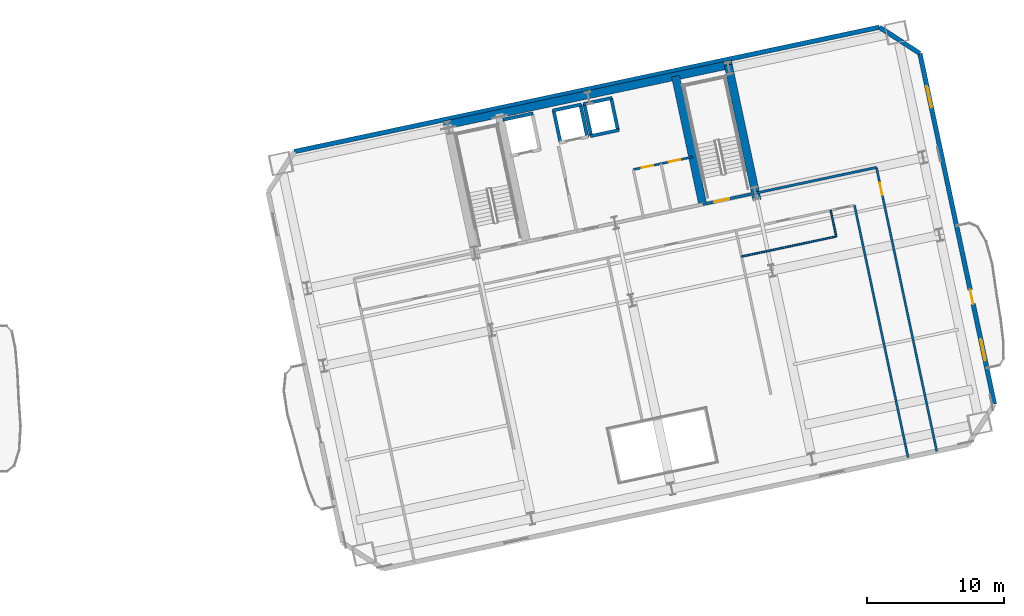
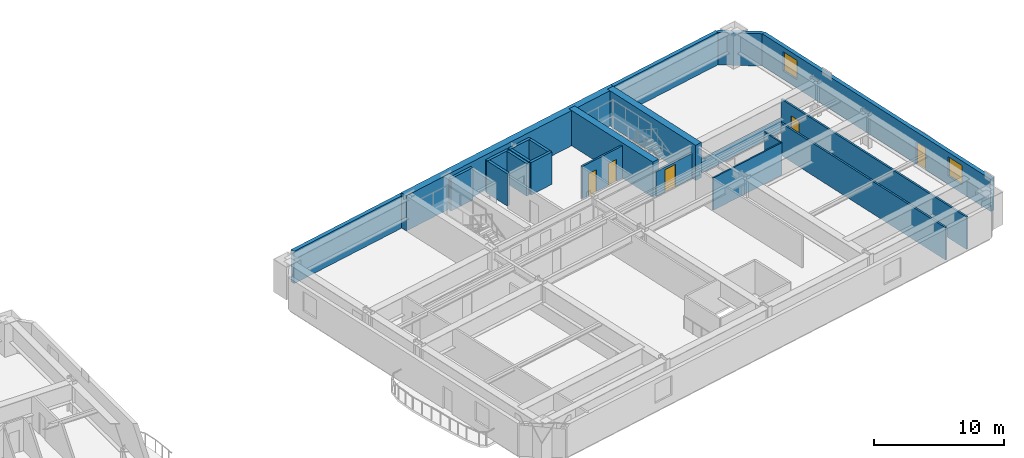
# One storey, part 10 of 18: 21 walls, 5 doors, 2 windows, 7 openings.
"""IFC4 building model written with IfcOpenShell, lengths in metres."""

from ifc_helpers import new_model, si_unit, direction, frame, frame_2d, origin, place, context, subcontext, project, spatial, rectangle, extrude, material, layer, layer_set, type_object, element, fill, save


model = new_model("IFC4")

# Units and contexts
model_context = context("Model", 3, precision=1e-05, world=origin(), true_north=direction((0.0, 1.0)))
body_context = subcontext(model_context, "Body", "Model", "MODEL_VIEW")
ifc_project = project(units=[si_unit("LENGTHUNIT", "METRE"), si_unit("AREAUNIT", "SQUARE_METRE"), si_unit("VOLUMEUNIT", "CUBIC_METRE"), si_unit("PLANEANGLEUNIT", "RADIAN"), si_unit("MASSUNIT", "GRAM", prefix="KILO")], contexts=[model_context])

# Site, building, storey
site_placement = place(None, origin())
site = spatial("IfcSite", under=ifc_project, at=site_placement, CompositionType="ELEMENT")
building_placement = place(site_placement, origin())
building = spatial("IfcBuilding", under=site, at=building_placement, Name="Haevon Station Towers", CompositionType="ELEMENT")
storey_placement = place(building_placement, frame((0.0, 0.0, 66.89990234375)))
storey = spatial("IfcBuildingStorey", under=building, at=storey_placement, Name="L17", CompositionType="ELEMENT", Elevation=66.89990234375)

# Wall
ifc_material_1 = material(Name="Gypsum board on steel stud", Category="steel")
ifc_layer_1 = layer(ifc_material_1, 0.179931640625)
ifc_layer_set_1 = layer_set([ifc_layer_1], Name="Gypsum board on steel stud")
wall_type_1 = type_object("IfcWallType", Name="WL-ACU180", PredefinedType="PARTITIONING", material=ifc_layer_set_1)
wall_1_placement = place(storey_placement, frame((119.29345703125, 41.80859375, 0.0), z_axis=(0.0, 0.0, 1.0), x_axis=(0.978148085545, 0.207909409948, 0.0)))
element("IfcWall", 1, at=wall_1_placement, inside=storey, type_object=wall_type_1, Name="WL-T2PT-L17-03", PredefinedType="PARTITIONING", context=body_context, shape_type="SweptSolid", body=[
    extrude(rectangle(XDim=9.050048828125, YDim=0.179931640625, at=frame_2d((4.52490234375, 0.0))), origin(), (0.0, 0.0, 1.0), 1.22998046875),
])

# Wall, opening, door
ifc_layer_2 = layer(ifc_material_1, 0.199951171875)
ifc_layer_set_2 = layer_set([ifc_layer_2], Name="Gypsum board on steel stud")
wall_type_2 = type_object("IfcWallType", Name="WL-COR200", PredefinedType="PARTITIONING", material=ifc_layer_set_2)
wall_2_placement = place(storey_placement, frame((115.4296875, 40.9873046875, 0.0), z_axis=(0.0, 0.0, 1.0), x_axis=(0.978146596989, 0.207916413008, 0.0)))
wall_2 = element("IfcWall", 2, at=wall_2_placement, inside=storey, type_object=wall_type_2, Name="WL-ST-ST4-L17", PredefinedType="PARTITIONING", context=body_context, shape_type="SweptSolid", body=[
    extrude(rectangle(XDim=3.9501953125, YDim=0.199951171875, at=frame_2d((1.97509765625, 0.0))), origin(), (0.0, 0.0, 1.0), 2.330078125),
])
opening_1_placement = place(wall_2_placement, frame((0.85009765625, 0.0, 0.0)))
opening_1 = element("IfcOpeningElement", 3, at=opening_1_placement, cuts=wall_2, Name="Opening DR-ST-ST4-L17", PredefinedType="OPENING", context=body_context, shape_type="SweptSolid", body=[
    extrude(rectangle(XDim=1.1201171875, YDim=2.10009765625, at=frame_2d((0.56005859375, 1.050048828125))), frame((0.0, 0.10986328125, 0.0), z_axis=(0.0, -1.0, 0.0), x_axis=(1.0, 0.0, 0.0)), (0.0, 0.0, 1.0), 0.219970703125),
])
ifc_material_2 = material(Name="Engineered oak timber", Category="wood")
door_type_1 = type_object("IfcDoorType", Name="DR-ST-1120", OperationType="NOTDEFINED", PredefinedType="DOOR", material=ifc_material_2)
door_1_placement = place(opening_1_placement, origin())
door_1 = element("IfcDoor", 4, at=door_1_placement, inside=storey, type_object=door_type_1, Name="L17 Escape Stair ST4 Fire Door", OperationType="SINGLE_SWING_RIGHT", OverallHeight=2.10009765625, OverallWidth=1.1201171875, PredefinedType="DOOR", context=body_context, shape_type="SweptSolid", body=[
    extrude(rectangle(XDim=1.1201171875, YDim=2.10009765625, at=frame_2d((0.56005859375, 1.050048828125))), frame((0.0, 0.02490234375, 0.0), z_axis=(0.0, -1.0, 0.0), x_axis=(1.0, 0.0, 0.0)), (0.0, 0.0, 1.0), 0.050048828125),
])
fill(opening_1, door_1)

# Walls
ifc_material_3 = material(Name="Concrete C60/75", Category="concrete")
ifc_layer_3 = layer(ifc_material_3, 0.60009765625)
ifc_layer_set_3 = layer_set([ifc_layer_3], Name="Concrete C60/75")
wall_type_3 = type_object("IfcWallType", Name="WL-CR600", PredefinedType="SHEAR", material=ifc_layer_set_3)
wall_3_placement = place(storey_placement, frame((96.462890625, 46.770263671875, 0.0), z_axis=(0.0, 0.0, 1.0), x_axis=(0.978147272959, 0.207913232873, 0.0)))
element("IfcWall", 5, at=wall_3_placement, inside=storey, type_object=wall_type_3, Name="WL-T2CR-L17-N", PredefinedType="SHEAR", context=body_context, shape_type="SweptSolid", body=[
    extrude(rectangle(XDim=21.60009765625, YDim=0.60009765625, at=frame_2d((10.800048828125, 0.0))), origin(), (0.0, 0.0, 1.0), 3.300048828125),
])
wall_4_placement = place(storey_placement, frame((119.401611328125, 41.2998046875, 0.0), z_axis=(0.0, 0.0, 1.0), x_axis=(-0.207904342798, 0.978149162575, 0.0)))
element("IfcWall", 6, at=wall_4_placement, inside=storey, type_object=wall_type_3, Name="WL-T2CR-L17-E", PredefinedType="SHEAR", context=body_context, shape_type="SweptSolid", body=[
    extrude(rectangle(XDim=10.1201171875, YDim=0.60009765625, at=frame_2d((5.06005859375, 0.0))), origin(), (0.0, 0.0, 1.0), 3.300048828125),
])
wall_5_placement = place(storey_placement, frame((115.4296875, 40.9873046875, 0.0), z_axis=(0.0, 0.0, 1.0), x_axis=(-0.207903162969, 0.978149413345, 0.0)))
element("IfcWall", 7, at=wall_5_placement, inside=storey, type_object=wall_type_3, Name="WL-T2CR-L17-M2", PredefinedType="SHEAR", context=body_context, shape_type="SweptSolid", body=[
    extrude(rectangle(XDim=9.599853515625, YDim=0.60009765625, at=frame_2d((4.7998046875, 0.0))), origin(), (0.0, 0.0, 1.0), 3.300048828125),
])
ifc_material_4 = material(Name="Precast concrete C45/55", Category="concrete")
ifc_layer_4 = layer(ifc_material_4, 0.340087890625)
ifc_layer_set_4 = layer_set([ifc_layer_4], Name="Precast concrete C45/55")
wall_type_4 = type_object("IfcWallType", Name="WL-EXT-PIER340", PredefinedType="SOLIDWALL", material=ifc_layer_set_4)
wall_6_placement = place(storey_placement, frame((85.5224609375, 44.853759765625, 0.0), z_axis=(0.0, 0.0, 1.0), x_axis=(0.978147913223, 0.207910220665, 0.0)))
element("IfcWall", 8, at=wall_6_placement, inside=storey, type_object=wall_type_4, Name="WL-T2-L17-N", PredefinedType="SOLIDWALL", context=body_context, shape_type="SweptSolid", body=[
    extrude(rectangle(XDim=43.7998046875, YDim=0.340087890625, at=frame_2d((21.89990234375, 0.0))), origin(), (0.0, 0.0, 1.0), 3.030029296875),
])
wall_7_placement = place(storey_placement, frame((128.365234375, 53.960205078125, 0.0), z_axis=(0.0, 0.0, 1.0), x_axis=(0.838672309694, -0.544636352948, 0.0)))
element("IfcWall", 9, at=wall_7_placement, inside=storey, type_object=wall_type_4, Name="WL-T2-L17-NEC", PredefinedType="SOLIDWALL", context=body_context, shape_type="SweptSolid", body=[
    extrude(rectangle(XDim=3.535400390625, YDim=0.340087890625, at=frame_2d((1.767578125, 0.0))), origin(), (0.0, 0.0, 1.0), 3.030029296875),
])

# Wall, openings, door, windows
wall_8_placement = place(storey_placement, frame((131.330322265625, 52.03466796875, 0.0), z_axis=(0.0, 0.0, 1.0), x_axis=(0.207913593786, -0.978147196244, 0.0)))
wall_8 = element("IfcWall", 10, at=wall_8_placement, inside=storey, type_object=wall_type_4, Name="WL-T2-L17-E", PredefinedType="SOLIDWALL", context=body_context, shape_type="SweptSolid", body=[
    extrude(rectangle(XDim=26.250244140625, YDim=0.340087890625, at=frame_2d((13.125, 0.0))), origin(), (0.0, 0.0, 1.0), 3.030029296875),
])
opening_2_placement = place(wall_8_placement, frame((17.699951171875, 0.0, 0.0)))
opening_2 = element("IfcOpeningElement", 11, at=opening_2_placement, cuts=wall_8, Name="Opening DR-T2-SCAL-L17-E", PredefinedType="OPENING", context=body_context, shape_type="SweptSolid", body=[
    extrude(rectangle(XDim=1.050048828125, YDim=2.10009765625, at=frame_2d((0.52490234375, 1.050048828125))), frame((0.0, 0.179931640625, 0.0), z_axis=(0.0, -1.0, 0.0), x_axis=(1.0, 0.0, 0.0)), (0.0, 0.0, 1.0), 0.360107421875),
])
opening_3_placement = place(wall_8_placement, frame((2.4462890625, 0.0, 0.800048828125)))
opening_3 = element("IfcOpeningElement", 12, at=opening_3_placement, cuts=wall_8, Name="Opening WN-END160", PredefinedType="OPENING", context=body_context, shape_type="SweptSolid", body=[
    extrude(rectangle(XDim=1.60009765625, YDim=1.800048828125, at=frame_2d((0.800048828125, 0.89990234375))), frame((0.0, 0.179931640625, 0.0), z_axis=(0.0, -1.0, 0.0), x_axis=(1.0, 0.0, 0.0)), (0.0, 0.0, 1.0), 0.360107421875),
])
opening_4_placement = place(wall_8_placement, frame((21.38037109375, 0.0, 0.800048828125)))
opening_4 = element("IfcOpeningElement", 13, at=opening_4_placement, cuts=wall_8, Name="Opening WN-END160", PredefinedType="OPENING", context=body_context, shape_type="SweptSolid", body=[
    extrude(rectangle(XDim=1.60009765625, YDim=1.800048828125, at=frame_2d((0.800048828125, 0.89990234375))), frame((0.0, 0.179931640625, 0.0), z_axis=(0.0, -1.0, 0.0), x_axis=(1.0, 0.0, 0.0)), (0.0, 0.0, 1.0), 0.360107421875),
])
ifc_material_5 = material(Name="Thermally broken anodised aluminium and laminated safety glass", Category="aluminium")
door_type_2 = type_object("IfcDoorType", Name="DR-BALC-1050", OperationType="NOTDEFINED", PredefinedType="DOOR", material=ifc_material_5)
door_2_placement = place(opening_2_placement, origin())
door_2 = element("IfcDoor", 14, at=door_2_placement, inside=storey, type_object=door_type_2, Name="Tower 2 L17 East Scalloped Balcony Door", OperationType="SINGLE_SWING_RIGHT", OverallHeight=2.10009765625, OverallWidth=1.050048828125, PredefinedType="DOOR", context=body_context, shape_type="SweptSolid", body=[
    extrude(rectangle(XDim=1.050048828125, YDim=2.10009765625, at=frame_2d((0.52490234375, 1.050048828125))), frame((0.0, 0.02490234375, 0.0), z_axis=(0.0, -1.0, 0.0), x_axis=(1.0, 0.0, 0.0)), (0.0, 0.0, 1.0), 0.050048828125),
])
fill(opening_2, door_2)
ifc_material_6 = material(Name="Low-E triple glazing in thermally broken aluminium", Category="aluminium")
window_type = type_object("IfcWindowType", Name="WN-END160", PartitioningType="SINGLE_PANEL", PredefinedType="WINDOW", material=ifc_material_6)
window_1_placement = place(opening_3_placement, origin())
window_1 = element("IfcWindow", 15, at=window_1_placement, inside=storey, type_object=window_type, Name="WN-T2-L17-E01", OverallHeight=1.800048828125, OverallWidth=1.60009765625, PartitioningType="SINGLE_PANEL", PredefinedType="WINDOW", context=body_context, shape_type="SweptSolid", body=[
    extrude(rectangle(XDim=1.60009765625, YDim=1.800048828125, at=frame_2d((0.800048828125, 0.89990234375))), frame((0.0, 0.030029296875, 0.0), z_axis=(0.0, -1.0, 0.0), x_axis=(1.0, 0.0, 0.0)), (0.0, 0.0, 1.0), 0.06005859375),
])
fill(opening_3, window_1)
window_2_placement = place(opening_4_placement, origin())
window_2 = element("IfcWindow", 16, at=window_2_placement, inside=storey, type_object=window_type, Name="WN-T2-L17-E02", OverallHeight=1.800048828125, OverallWidth=1.60009765625, PartitioningType="SINGLE_PANEL", PredefinedType="WINDOW", context=body_context, shape_type="SweptSolid", body=[
    extrude(rectangle(XDim=1.60009765625, YDim=1.800048828125, at=frame_2d((0.800048828125, 0.89990234375))), frame((0.0, 0.030029296875, 0.0), z_axis=(0.0, -1.0, 0.0), x_axis=(1.0, 0.0, 0.0)), (0.0, 0.0, 1.0), 0.06005859375),
])
fill(opening_4, window_2)

# Walls
ifc_layer_5 = layer(ifc_material_1, 0.125)
ifc_layer_set_5 = layer_set([ifc_layer_5], Name="Gypsum board on steel stud")
wall_type_5 = type_object("IfcWallType", Name="WL-PRT125", PredefinedType="PARTITIONING", material=ifc_layer_set_5)
wall_9_placement = place(storey_placement, frame((118.268798828125, 37.1640625, 0.0), z_axis=(0.0, 0.0, 1.0), x_axis=(0.978148870268, 0.207905718041, 0.0)))
element("IfcWall", 17, at=wall_9_placement, inside=storey, type_object=wall_type_5, Name="WL-T2PT-L17-15", PredefinedType="PARTITIONING", context=body_context, shape_type="SweptSolid", body=[
    extrude(rectangle(XDim=7.087890625, YDim=0.125, at=frame_2d((3.5439453125, 0.0))), origin(), (0.0, 0.0, 1.0), 3.030029296875),
])
wall_10_placement = place(storey_placement, frame((125.201904296875, 38.6376953125, 0.0), z_axis=(0.0, 0.0, 1.0), x_axis=(-0.207947096322, 0.978140074392, 0.0)))
element("IfcWall", 18, at=wall_10_placement, inside=storey, type_object=wall_type_5, Name="WL-T2PT-L17-16", PredefinedType="PARTITIONING", context=body_context, shape_type="SweptSolid", body=[
    extrude(rectangle(XDim=1.9501953125, YDim=0.125, at=frame_2d((0.97509765625, 0.0))), origin(), (0.0, 0.0, 1.0), 3.030029296875),
])

# Wall, openings, doors
ifc_layer_6 = layer(ifc_material_1, 0.159912109375)
ifc_layer_set_6 = layer_set([ifc_layer_6], Name="Gypsum board on steel stud")
wall_type_6 = type_object("IfcWallType", Name="WL-PRT160", PredefinedType="PARTITIONING", material=ifc_layer_set_6)
wall_11_placement = place(storey_placement, frame((110.3388671875, 43.534423828125, 0.0), z_axis=(0.0, 0.0, 1.0), x_axis=(0.978143929138, 0.207928963567, 0.0)))
wall_11 = element("IfcWall", 19, at=wall_11_placement, inside=storey, type_object=wall_type_6, Name="WL-T2CW-L17-03", PredefinedType="PARTITIONING", context=body_context, shape_type="SweptSolid", body=[
    extrude(rectangle(XDim=4.449951171875, YDim=0.159912109375, at=frame_2d((2.22509765625, 0.0))), origin(), (0.0, 0.0, 1.0), 3.030029296875),
])
opening_5_placement = place(wall_11_placement, frame((0.635009765625, 0.0, 0.0)))
opening_5 = element("IfcOpeningElement", 20, at=opening_5_placement, cuts=wall_11, Name="Opening DR-WL-T2CW-L17-03-1", PredefinedType="OPENING", context=body_context, shape_type="SweptSolid", body=[
    extrude(rectangle(XDim=0.85009765625, YDim=2.050048828125, at=frame_2d((0.425048828125, 1.02490234375))), frame((0.0, 0.08984375, 0.0), z_axis=(0.0, -1.0, 0.0), x_axis=(1.0, 0.0, 0.0)), (0.0, 0.0, 1.0), 0.179931640625),
])
opening_6_placement = place(wall_11_placement, frame((2.679931640625, 0.0, 0.0)))
opening_6 = element("IfcOpeningElement", 21, at=opening_6_placement, cuts=wall_11, Name="Opening DR-WL-T2CW-L17-03-2", PredefinedType="OPENING", context=body_context, shape_type="SweptSolid", body=[
    extrude(rectangle(XDim=0.85009765625, YDim=2.050048828125, at=frame_2d((0.425048828125, 1.02490234375))), frame((0.0, 0.08984375, 0.0), z_axis=(0.0, -1.0, 0.0), x_axis=(1.0, 0.0, 0.0)), (0.0, 0.0, 1.0), 0.179931640625),
])
door_type_3 = type_object("IfcDoorType", Name="DR-FD30-850", OperationType="NOTDEFINED", PredefinedType="DOOR", material=ifc_material_2)
door_3_placement = place(opening_5_placement, origin())
door_3 = element("IfcDoor", 22, at=door_3_placement, inside=storey, type_object=door_type_3, Name="L17 Tower 2 Core Room Door 3-1", OperationType="SINGLE_SWING_LEFT", OverallHeight=2.050048828125, OverallWidth=0.85009765625, PredefinedType="DOOR", context=body_context, shape_type="SweptSolid", body=[
    extrude(rectangle(XDim=0.85009765625, YDim=2.050048828125, at=frame_2d((0.425048828125, 1.02490234375))), frame((0.0, 0.02490234375, 0.0), z_axis=(0.0, -1.0, 0.0), x_axis=(1.0, 0.0, 0.0)), (0.0, 0.0, 1.0), 0.050048828125),
])
fill(opening_5, door_3)
door_4_placement = place(opening_6_placement, origin())
door_4 = element("IfcDoor", 23, at=door_4_placement, inside=storey, type_object=door_type_3, Name="L17 Tower 2 Core Room Door 3-2", OperationType="SINGLE_SWING_RIGHT", OverallHeight=2.050048828125, OverallWidth=0.85009765625, PredefinedType="DOOR", context=body_context, shape_type="SweptSolid", body=[
    extrude(rectangle(XDim=0.85009765625, YDim=2.050048828125, at=frame_2d((0.425048828125, 1.02490234375))), frame((0.0, 0.02490234375, 0.0), z_axis=(0.0, -1.0, 0.0), x_axis=(1.0, 0.0, 0.0)), (0.0, 0.0, 1.0), 0.050048828125),
])
fill(opening_6, door_4)

# Wall
wall_12_placement = place(storey_placement, frame((130.460693359375, 22.45751953125, 0.0), z_axis=(0.0, 0.0, 1.0), x_axis=(-0.207903011056, 0.978149445634, 0.0)))
element("IfcWall", 24, at=wall_12_placement, inside=storey, type_object=wall_type_6, Name="WL-T2PT-L17-01", PredefinedType="PARTITIONING", context=body_context, shape_type="SweptSolid", body=[
    extrude(rectangle(XDim=18.869873046875, YDim=0.159912109375, at=frame_2d((9.43505859375, 0.0))), origin(), (0.0, 0.0, 1.0), 3.030029296875),
])

# Wall, opening, door
wall_13_placement = place(storey_placement, frame((132.563720703125, 22.904541015625, 0.0), z_axis=(0.0, 0.0, 1.0), x_axis=(-0.207904649693, 0.978149097345, 0.0)))
wall_13 = element("IfcWall", 25, at=wall_13_placement, inside=storey, type_object=wall_type_6, Name="WL-T2PT-L17-05", PredefinedType="PARTITIONING", context=body_context, shape_type="SweptSolid", body=[
    extrude(rectangle(XDim=21.25, YDim=0.159912109375, at=frame_2d((10.625, 0.0))), origin(), (0.0, 0.0, 1.0), 3.030029296875),
])
opening_7_placement = place(wall_13_placement, frame((19.18994140625, 0.0, 0.0)))
opening_7 = element("IfcOpeningElement", 26, at=opening_7_placement, cuts=wall_13, Name="Opening DR-WL-T2PT-L17-05-01", PredefinedType="OPENING", context=body_context, shape_type="SweptSolid", body=[
    extrude(rectangle(XDim=0.89990234375, YDim=2.050048828125, at=frame_2d((0.449951171875, 1.02490234375))), frame((0.0, 0.08984375, 0.0), z_axis=(0.0, -1.0, 0.0), x_axis=(1.0, 0.0, 0.0)), (0.0, 0.0, 1.0), 0.179931640625),
])
door_type_4 = type_object("IfcDoorType", Name="DR-INT-900", OperationType="NOTDEFINED", PredefinedType="DOOR", material=ifc_material_2)
door_5_placement = place(opening_7_placement, origin())
door_5 = element("IfcDoor", 27, at=door_5_placement, inside=storey, type_object=door_type_4, Name="L17 Tower 2 Room Door 5-1", OperationType="SINGLE_SWING_RIGHT", OverallHeight=2.050048828125, OverallWidth=0.89990234375, PredefinedType="DOOR", context=body_context, shape_type="SweptSolid", body=[
    extrude(rectangle(XDim=0.89990234375, YDim=2.050048828125, at=frame_2d((0.449951171875, 1.02490234375))), frame((0.0, 0.02490234375, 0.0), z_axis=(0.0, -1.0, 0.0), x_axis=(1.0, 0.0, 0.0)), (0.0, 0.0, 1.0), 0.050048828125),
])
fill(opening_7, door_5)

# Walls
ifc_material_7 = material(Name="Concrete C40/50", Category="concrete")
ifc_layer_7 = layer(ifc_material_7, 0.239990234375)
ifc_layer_set_7 = layer_set([ifc_layer_7], Name="Concrete C40/50")
wall_type_7 = type_object("IfcWallType", Name="WL-SHF240", PredefinedType="PARTITIONING", material=ifc_layer_set_7)
wall_14_placement = place(storey_placement, frame((100.79248046875, 47.179443359375, 0.0), z_axis=(0.0, 0.0, 1.0), x_axis=(0.978162968872, 0.207839376268, 0.0)))
element("IfcWall", 28, at=wall_14_placement, inside=storey, type_object=wall_type_7, Name="WL-SHF-FL2-L17-N", PredefinedType="PARTITIONING", context=body_context, shape_type="SweptSolid", body=[
    extrude(rectangle(XDim=2.260009765625, YDim=0.239990234375, at=frame_2d((1.1298828125, 0.0))), origin(), (0.0, 0.0, 1.0), 3.030029296875),
])
wall_15_placement = place(storey_placement, frame((104.432373046875, 47.850830078125, 0.0), z_axis=(0.0, 0.0, 1.0), x_axis=(0.978158276388, 0.207861459473, 0.0)))
element("IfcWall", 29, at=wall_15_placement, inside=storey, type_object=wall_type_7, Name="WL-SHF-PL7-L17-N", PredefinedType="PARTITIONING", context=body_context, shape_type="SweptSolid", body=[
    extrude(rectangle(XDim=2.159912109375, YDim=0.239990234375, at=frame_2d((1.080078125, 0.0))), origin(), (0.0, 0.0, 1.0), 3.030029296875),
])
wall_16_placement = place(storey_placement, frame((105.009765625, 45.519775390625, 0.0), z_axis=(0.0, 0.0, 1.0), x_axis=(-0.207917150959, 0.978146440129, 0.0)))
element("IfcWall", 30, at=wall_16_placement, inside=storey, type_object=wall_type_7, Name="WL-SHF-PL7-L17-W", PredefinedType="PARTITIONING", context=body_context, shape_type="SweptSolid", body=[
    extrude(rectangle(XDim=2.400146484375, YDim=0.239990234375, at=frame_2d((1.2001953125, 0.0))), origin(), (0.0, 0.0, 1.0), 3.030029296875),
])
wall_17_placement = place(storey_placement, frame((106.966064453125, 45.935791015625, 0.0), z_axis=(0.0, 0.0, 1.0), x_axis=(-0.207937840262, 0.978142042133, 0.0)))
element("IfcWall", 31, at=wall_17_placement, inside=storey, type_object=wall_type_7, Name="WL-SHF-PL7-L17-E", PredefinedType="PARTITIONING", context=body_context, shape_type="SweptSolid", body=[
    extrude(rectangle(XDim=2.39990234375, YDim=0.239990234375, at=frame_2d((1.199951171875, 0.0))), origin(), (0.0, 0.0, 1.0), 3.030029296875),
])
for number, where, z_axis, x_axis, name in (
    (32, (107.18115234375, 45.9814453125, 0.0), (0.0, 0.0, 1.0), (0.97813528961, 0.207969601673, 0.0), "WL-SHF-PL8-L17"),
    (33, (106.68212890625, 48.3291015625, 0.0), (0.0, 0.0, 1.0), (0.978158276388, 0.207861459473, 0.0), "WL-SHF-PL8-L17-N"),
):
    element("IfcWall", number, at=place(storey_placement, frame(where, z_axis=z_axis, x_axis=x_axis)), inside=storey, type_object=wall_type_7, Name=name, PredefinedType="PARTITIONING", context=body_context, shape_type="SweptSolid", body=[
        extrude(rectangle(XDim=2.159912109375, YDim=0.239990234375, at=frame_2d((1.080078125, 0.0))), origin(), (0.0, 0.0, 1.0), 3.030029296875),
    ])
for number, where, z_axis, x_axis, name in (
    (34, (107.259521484375, 45.998046875, 0.0), (0.0, 0.0, 1.0), (-0.207917150959, 0.978146440129, 0.0), "WL-SHF-PL8-L17-W"),
    (35, (109.2158203125, 46.413818359375, 0.0), (0.0, 0.0, 1.0), (-0.207917150959, 0.978146440129, 0.0), "WL-SHF-PL8-L17-E"),
):
    element("IfcWall", number, at=place(storey_placement, frame(where, z_axis=z_axis, x_axis=x_axis)), inside=storey, type_object=wall_type_7, Name=name, PredefinedType="PARTITIONING", context=body_context, shape_type="SweptSolid", body=[
        extrude(rectangle(XDim=2.400146484375, YDim=0.239990234375, at=frame_2d((1.2001953125, 0.0))), origin(), (0.0, 0.0, 1.0), 3.030029296875),
    ])

save(model, "model.ifc")
